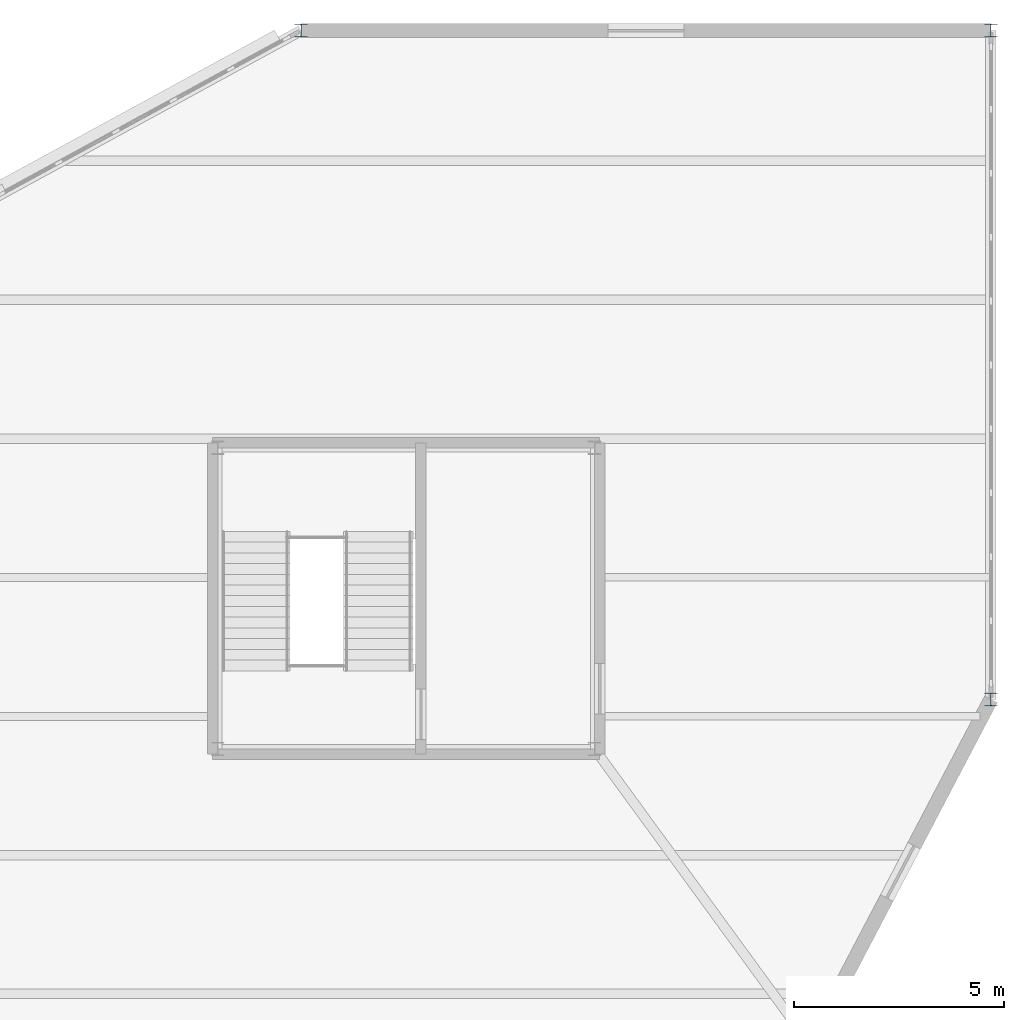
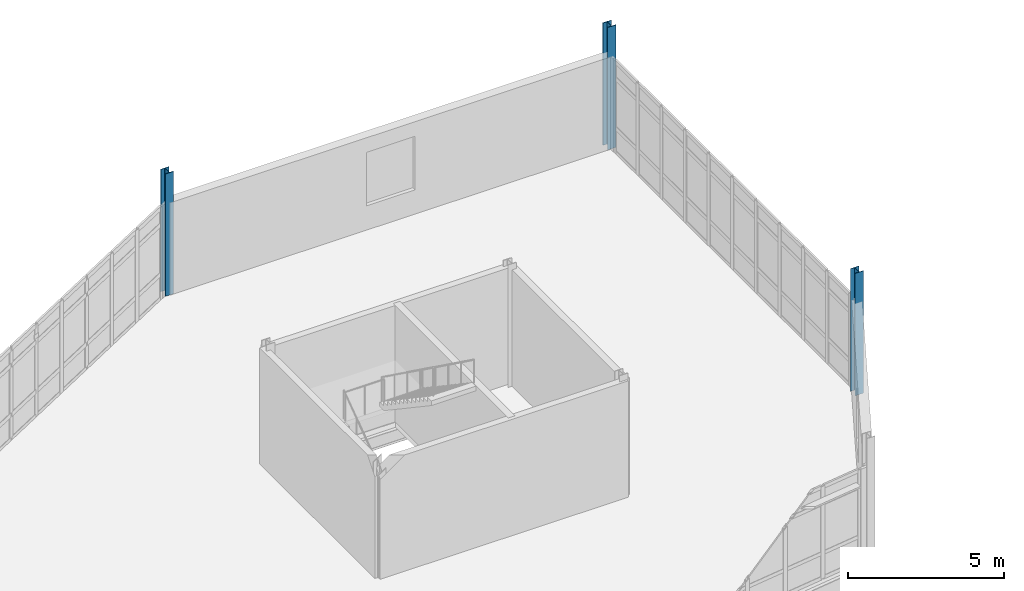
# One storey, part 23 of 134: 3 columns.
"""IFC4 building model written with IfcOpenShell, lengths in metres."""

from ifc_helpers import new_model, si_unit, direction, frame, origin, origin_2d, place, context, subcontext, project, spatial, i_section, extrude, material, material_profile, profile_set, type_object, element, save


model = new_model("IFC4")

# Units and contexts
model_context = context("Model", 3, precision=1e-05, world=origin(), true_north=direction((0.0, 1.0)))
body_context = subcontext(model_context, "Body", "Model", "MODEL_VIEW")
ifc_project = project(units=[si_unit("LENGTHUNIT", "METRE"), si_unit("AREAUNIT", "SQUARE_METRE"), si_unit("VOLUMEUNIT", "CUBIC_METRE"), si_unit("PLANEANGLEUNIT", "RADIAN"), si_unit("MASSUNIT", "GRAM", prefix="KILO")], contexts=[model_context])

# Site, building, storey
site_placement = place(None, origin())
site = spatial("IfcSite", under=ifc_project, at=site_placement, CompositionType="ELEMENT")
building_placement = place(site_placement, origin())
building = spatial("IfcBuilding", under=site, at=building_placement, Name="Tameran Prism Museum", CompositionType="ELEMENT")
storey_placement = place(building_placement, frame((0.0, 0.0, 5.39990234375)))
storey = spatial("IfcBuildingStorey", under=building, at=storey_placement, Name="L01", CompositionType="ELEMENT", Elevation=5.39990234375)

# Columns
ifc_material = material(Name="Steel Grade 300PLUS (300 MPa)", Category="steel")
ifc_material_profile = material_profile(ifc_material, i_section(OverallWidth=0.306884765625, OverallDepth=0.31494140625, WebThickness=0.011962890625, FlangeThickness=0.018798828125, FilletRadius=0.0166015625, at=origin_2d()))
ifc_profile_set = profile_set([ifc_material_profile])
column_type = type_object("IfcColumnType", Name="COL-UC310C", PredefinedType="COLUMN", material=ifc_profile_set)
for number, where, z_axis, x_axis, name in (
    (1, (150.0, 112.0, 0.0), (0.0, 0.0, 1.0), (1.0, 0.0, 0.0), "Column CV-63 L01"),
    (2, (166.39990234375, 96.10009765625, 0.0), (0.0, 0.0, 1.0), (1.0, 0.0, 0.0), "Column CV-71 L01"),
    (3, (166.39990234375, 112.0, 0.0), (0.0, 0.0, 1.0), (1.0, 0.0, 0.0), "Column CV-72 L01"),
):
    element("IfcColumn", number, at=place(storey_placement, frame(where, z_axis=z_axis, x_axis=x_axis)), inside=storey, type_object=column_type, Name=name, PredefinedType="COLUMN", context=body_context, shape_type="SweptSolid", body=[
        extrude(i_section(OverallWidth=0.306884765625, OverallDepth=0.31494140625, WebThickness=0.011962890625, FlangeThickness=0.018798828125, FilletRadius=0.0166015625, at=origin_2d()), origin(), (0.0, 0.0, 1.0), 4.800048828125),
    ])

save(model, "model.ifc")
